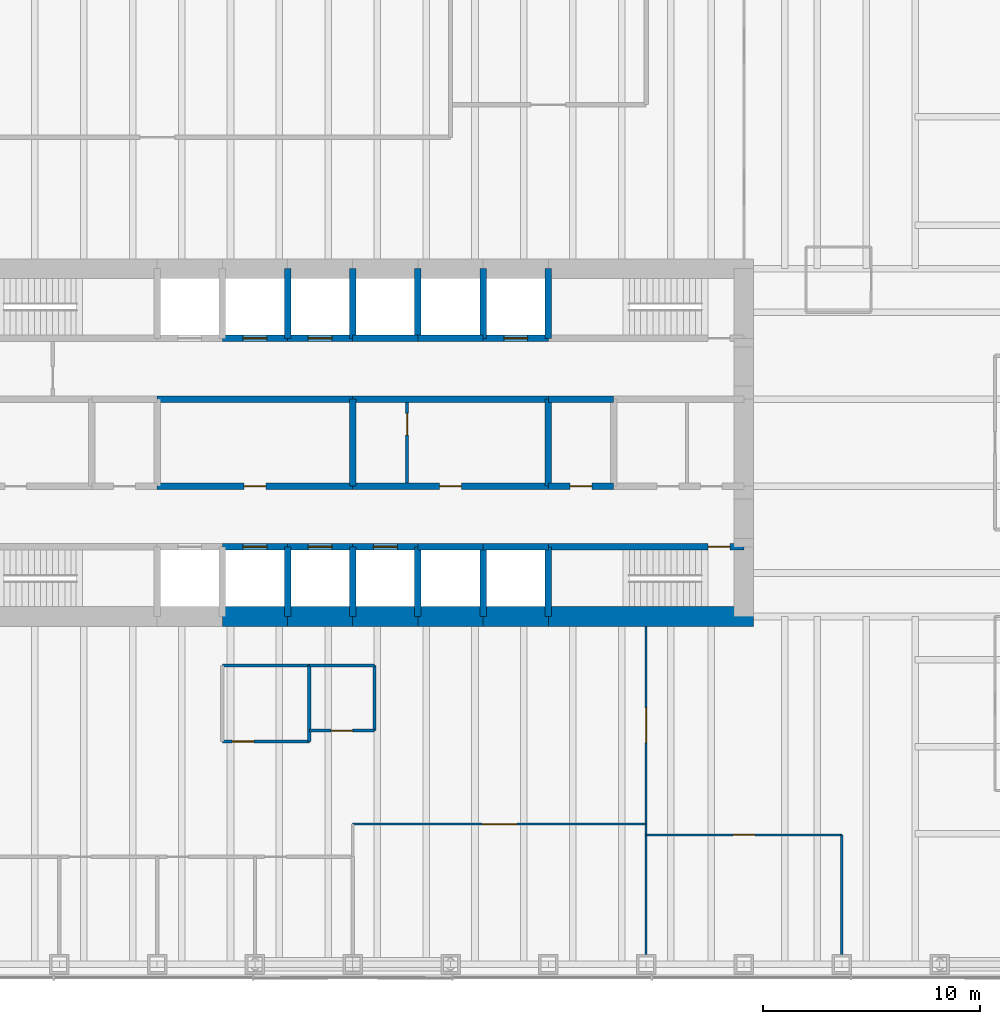
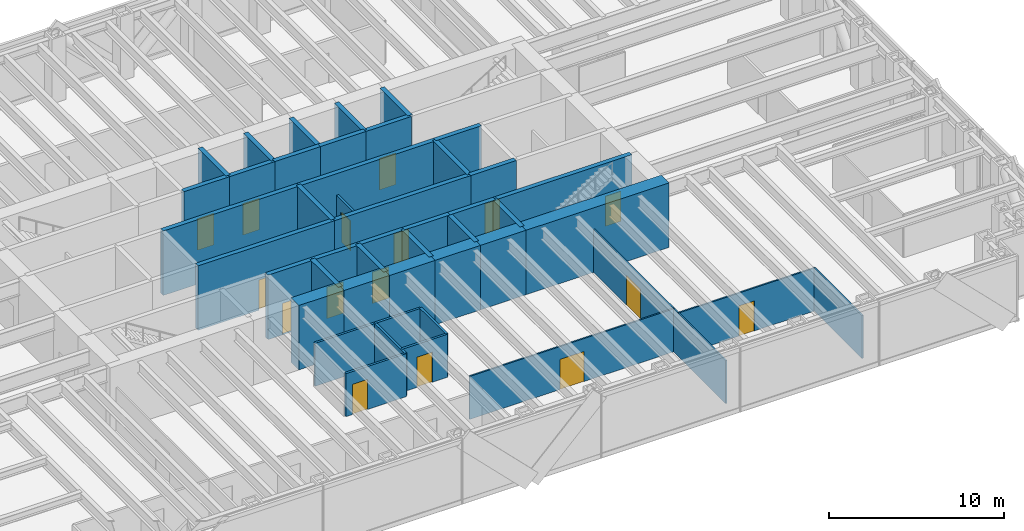
# One storey, part 10 of 13: 46 walls, 16 doors, 16 openings.
"""IFC4 building model written with IfcOpenShell, lengths in metres."""

from ifc_helpers import new_model, si_unit, direction, frame, frame_2d, origin, place, context, subcontext, project, spatial, rectangle, extrude, material, layer, layer_set, type_object, element, fill, save


model = new_model("IFC4")

# Units and contexts
model_context = context("Model", 3, precision=1e-05, world=origin(), true_north=direction((0.0, 1.0)))
body_context = subcontext(model_context, "Body", "Model", "MODEL_VIEW")
ifc_project = project(units=[si_unit("LENGTHUNIT", "METRE"), si_unit("AREAUNIT", "SQUARE_METRE"), si_unit("VOLUMEUNIT", "CUBIC_METRE"), si_unit("PLANEANGLEUNIT", "RADIAN"), si_unit("MASSUNIT", "GRAM", prefix="KILO")], contexts=[model_context])

# Site, building, storey
site_placement = place(None, origin())
site = spatial("IfcSite", under=ifc_project, at=site_placement, CompositionType="ELEMENT")
building_placement = place(site_placement, origin())
building = spatial("IfcBuilding", under=site, at=building_placement, Name="Rheinbord Bourse Tower", CompositionType="ELEMENT")
storey_placement = place(building_placement, frame((0.0, 0.0, 63.5)))
storey = spatial("IfcBuildingStorey", under=building, at=storey_placement, Name="L13", CompositionType="ELEMENT", Elevation=63.5)

# Wall, opening, door
ifc_material_1 = material(Name="Concrete C50/60", Category="concrete")
ifc_layer_1 = layer(ifc_material_1, 0.300048828125)
ifc_layer_set_1 = layer_set([ifc_layer_1], Name="CORE INNER WALL 300")
wall_type_1 = type_object("IfcWallType", Name="CORE INNER WALL 300", PredefinedType="SOLIDWALL", material=ifc_layer_set_1)
wall_1_placement = place(storey_placement, frame((30.0, 19.199951171875, 0.0), z_axis=(0.0, 0.0, 1.0), x_axis=(1.0, 0.0, 0.0)))
wall_1 = element("IfcWall", 1, at=wall_1_placement, inside=storey, type_object=wall_type_1, Name="Core wall A3 L13", PredefinedType="SOLIDWALL", context=body_context, shape_type="SweptSolid", body=[
    extrude(rectangle(XDim=3.0, YDim=0.300048828125, at=frame_2d((1.5, 0.0))), origin(), (0.0, 0.0, 1.0), 4.5),
])
opening_1_placement = place(wall_1_placement, frame((0.949951171875, 0.0, 0.0)))
opening_1 = element("IfcOpeningElement", 2, at=opening_1_placement, cuts=wall_1, Name="Opening PA1", PredefinedType="OPENING", context=body_context, shape_type="SweptSolid", body=[
    extrude(rectangle(XDim=1.10009765625, YDim=2.199951171875, at=frame_2d((0.550048828125, 1.10009765625))), frame((0.0, 0.159912109375, 0.0), z_axis=(0.0, -1.0, 0.0), x_axis=(1.0, 0.0, 0.0)), (0.0, 0.0, 1.0), 0.320068359375),
])
ifc_material_2 = material(Name="Steel landing door", Category="steel")
door_type_1 = type_object("IfcDoorType", Name="LIFT LANDING DOOR 1100", OperationType="DOUBLE_DOOR_SLIDING", PredefinedType="USERDEFINED", material=ifc_material_2)
door_1_placement = place(opening_1_placement, origin())
door_1 = element("IfcDoor", 3, at=door_1_placement, inside=storey, type_object=door_type_1, Name="Lift landing door PA1 L13", ObjectType="LIFT LANDING DOOR", OperationType="DOUBLE_DOOR_SLIDING", OverallHeight=2.199951171875, OverallWidth=1.10009765625, PredefinedType="USERDEFINED", context=body_context, shape_type="SweptSolid", body=[
    extrude(rectangle(XDim=1.10009765625, YDim=2.199951171875, at=frame_2d((0.550048828125, 1.10009765625))), frame((0.0, 0.02490234375, 0.0), z_axis=(0.0, -1.0, 0.0), x_axis=(1.0, 0.0, 0.0)), (0.0, 0.0, 1.0), 0.050048828125),
])
fill(opening_1, door_1)

wall_2_placement = place(storey_placement, frame((33.0, 19.199951171875, 0.0), z_axis=(0.0, 0.0, 1.0), x_axis=(1.0, 0.0, 0.0)))
wall_2 = element("IfcWall", 4, at=wall_2_placement, inside=storey, type_object=wall_type_1, Name="Core wall A4 L13", PredefinedType="SOLIDWALL", context=body_context, shape_type="SweptSolid", body=[
    extrude(rectangle(XDim=3.0, YDim=0.300048828125, at=frame_2d((1.5, 0.0))), origin(), (0.0, 0.0, 1.0), 4.5),
])
opening_2_placement = place(wall_2_placement, frame((0.949951171875, 0.0, 0.0)))
opening_2 = element("IfcOpeningElement", 5, at=opening_2_placement, cuts=wall_2, Name="Opening PA2", PredefinedType="OPENING", context=body_context, shape_type="SweptSolid", body=[
    extrude(rectangle(XDim=1.10009765625, YDim=2.199951171875, at=frame_2d((0.550048828125, 1.10009765625))), frame((0.0, 0.159912109375, 0.0), z_axis=(0.0, -1.0, 0.0), x_axis=(1.0, 0.0, 0.0)), (0.0, 0.0, 1.0), 0.320068359375),
])
door_2_placement = place(opening_2_placement, origin())
door_2 = element("IfcDoor", 6, at=door_2_placement, inside=storey, type_object=door_type_1, Name="Lift landing door PA2 L13", ObjectType="LIFT LANDING DOOR", OperationType="DOUBLE_DOOR_SLIDING", OverallHeight=2.199951171875, OverallWidth=1.10009765625, PredefinedType="USERDEFINED", context=body_context, shape_type="SweptSolid", body=[
    extrude(rectangle(XDim=1.10009765625, YDim=2.199951171875, at=frame_2d((0.550048828125, 1.10009765625))), frame((0.0, 0.02490234375, 0.0), z_axis=(0.0, -1.0, 0.0), x_axis=(1.0, 0.0, 0.0)), (0.0, 0.0, 1.0), 0.050048828125),
])
fill(opening_2, door_2)

wall_3_placement = place(storey_placement, frame((36.0, 19.199951171875, 0.0), z_axis=(0.0, 0.0, 1.0), x_axis=(1.0, 0.0, 0.0)))
wall_3 = element("IfcWall", 7, at=wall_3_placement, inside=storey, type_object=wall_type_1, Name="Core wall A5 L13", PredefinedType="SOLIDWALL", context=body_context, shape_type="SweptSolid", body=[
    extrude(rectangle(XDim=3.0, YDim=0.300048828125, at=frame_2d((1.5, 0.0))), origin(), (0.0, 0.0, 1.0), 4.5),
])
opening_3_placement = place(wall_3_placement, frame((0.949951171875, 0.0, 0.0)))
opening_3 = element("IfcOpeningElement", 8, at=opening_3_placement, cuts=wall_3, Name="Opening PA3", PredefinedType="OPENING", context=body_context, shape_type="SweptSolid", body=[
    extrude(rectangle(XDim=1.10009765625, YDim=2.199951171875, at=frame_2d((0.550048828125, 1.10009765625))), frame((0.0, 0.159912109375, 0.0), z_axis=(0.0, -1.0, 0.0), x_axis=(1.0, 0.0, 0.0)), (0.0, 0.0, 1.0), 0.320068359375),
])
door_3_placement = place(opening_3_placement, origin())
door_3 = element("IfcDoor", 9, at=door_3_placement, inside=storey, type_object=door_type_1, Name="Lift landing door PA3 L13", ObjectType="LIFT LANDING DOOR", OperationType="DOUBLE_DOOR_SLIDING", OverallHeight=2.199951171875, OverallWidth=1.10009765625, PredefinedType="USERDEFINED", context=body_context, shape_type="SweptSolid", body=[
    extrude(rectangle(XDim=1.10009765625, YDim=2.199951171875, at=frame_2d((0.550048828125, 1.10009765625))), frame((0.0, 0.02490234375, 0.0), z_axis=(0.0, -1.0, 0.0), x_axis=(1.0, 0.0, 0.0)), (0.0, 0.0, 1.0), 0.050048828125),
])
fill(opening_3, door_3)

# Walls
for number, where, z_axis, x_axis, name in (
    (10, (39.0, 19.199951171875, 0.0), (0.0, 0.0, 1.0), (1.0, 0.0, 0.0), "Core wall A6 L13"),
    (11, (42.0, 19.199951171875, 0.0), (0.0, 0.0, 1.0), (1.0, 0.0, 0.0), "Core wall A7 L13"),
):
    element("IfcWall", number, at=place(storey_placement, frame(where, z_axis=z_axis, x_axis=x_axis)), inside=storey, type_object=wall_type_1, Name=name, PredefinedType="SOLIDWALL", context=body_context, shape_type="SweptSolid", body=[
        extrude(rectangle(XDim=3.0, YDim=0.300048828125, at=frame_2d((1.5, 0.0))), origin(), (0.0, 0.0, 1.0), 4.5),
    ])

# Wall, opening, door
wall_4_placement = place(storey_placement, frame((45.0, 19.199951171875, 0.0), z_axis=(0.0, 0.0, 1.0), x_axis=(1.0, 0.0, 0.0)))
wall_4 = element("IfcWall", 12, at=wall_4_placement, inside=storey, type_object=wall_type_1, Name="Core wall A8 L13", PredefinedType="SOLIDWALL", context=body_context, shape_type="SweptSolid", body=[
    extrude(rectangle(XDim=9.0, YDim=0.300048828125, at=frame_2d((4.5, 0.0))), origin(), (0.0, 0.0, 1.0), 4.5),
])
opening_4_placement = place(wall_4_placement, frame((7.35009765625, 0.0, 0.0)))
opening_4 = element("IfcOpeningElement", 13, at=opening_4_placement, cuts=wall_4, Name="Opening 1330", PredefinedType="OPENING", context=body_context, shape_type="SweptSolid", body=[
    extrude(rectangle(XDim=1.0, YDim=2.10009765625, at=frame_2d((0.5, 1.050048828125))), frame((0.0, 0.159912109375, 0.0), z_axis=(0.0, -1.0, 0.0), x_axis=(1.0, 0.0, 0.0)), (0.0, 0.0, 1.0), 0.320068359375),
])
ifc_material_3 = material(Name="Steel door", Category="steel")
door_type_2 = type_object("IfcDoorType", Name="DOOR 1000 EI30", OperationType="SINGLE_SWING_LEFT", PredefinedType="DOOR", material=ifc_material_3)
door_4_placement = place(opening_4_placement, origin())
door_4 = element("IfcDoor", 14, at=door_4_placement, inside=storey, type_object=door_type_2, Name="Stair door ST3 L13", OperationType="SINGLE_SWING_RIGHT", OverallHeight=2.10009765625, OverallWidth=1.0, PredefinedType="DOOR", context=body_context, shape_type="SweptSolid", body=[
    extrude(rectangle(XDim=1.0, YDim=2.10009765625, at=frame_2d((0.5, 1.050048828125))), frame((0.0, 0.02490234375, 0.0), z_axis=(0.0, -1.0, 0.0), x_axis=(1.0, 0.0, 0.0)), (0.0, 0.0, 1.0), 0.050048828125),
])
fill(opening_4, door_4)

wall_5_placement = place(storey_placement, frame((30.0, 28.800048828125, 0.0), z_axis=(0.0, 0.0, 1.0), x_axis=(1.0, 0.0, 0.0)))
wall_5 = element("IfcWall", 15, at=wall_5_placement, inside=storey, type_object=wall_type_1, Name="Core wall B3 L13", PredefinedType="SOLIDWALL", context=body_context, shape_type="SweptSolid", body=[
    extrude(rectangle(XDim=3.0, YDim=0.300048828125, at=frame_2d((1.5, 0.0))), origin(), (0.0, 0.0, 1.0), 4.5),
])
opening_5_placement = place(wall_5_placement, frame((0.949951171875, 0.0, 0.0)))
opening_5 = element("IfcOpeningElement", 16, at=opening_5_placement, cuts=wall_5, Name="Opening PA4", PredefinedType="OPENING", context=body_context, shape_type="SweptSolid", body=[
    extrude(rectangle(XDim=1.10009765625, YDim=2.199951171875, at=frame_2d((0.550048828125, 1.10009765625))), frame((0.0, 0.159912109375, 0.0), z_axis=(0.0, -1.0, 0.0), x_axis=(1.0, 0.0, 0.0)), (0.0, 0.0, 1.0), 0.320068359375),
])
door_5_placement = place(opening_5_placement, origin())
door_5 = element("IfcDoor", 17, at=door_5_placement, inside=storey, type_object=door_type_1, Name="Lift landing door PA4 L13", ObjectType="LIFT LANDING DOOR", OperationType="DOUBLE_DOOR_SLIDING", OverallHeight=2.199951171875, OverallWidth=1.10009765625, PredefinedType="USERDEFINED", context=body_context, shape_type="SweptSolid", body=[
    extrude(rectangle(XDim=1.10009765625, YDim=2.199951171875, at=frame_2d((0.550048828125, 1.10009765625))), frame((0.0, 0.02490234375, 0.0), z_axis=(0.0, -1.0, 0.0), x_axis=(1.0, 0.0, 0.0)), (0.0, 0.0, 1.0), 0.050048828125),
])
fill(opening_5, door_5)

wall_6_placement = place(storey_placement, frame((33.0, 28.800048828125, 0.0), z_axis=(0.0, 0.0, 1.0), x_axis=(1.0, 0.0, 0.0)))
wall_6 = element("IfcWall", 18, at=wall_6_placement, inside=storey, type_object=wall_type_1, Name="Core wall B4 L13", PredefinedType="SOLIDWALL", context=body_context, shape_type="SweptSolid", body=[
    extrude(rectangle(XDim=3.0, YDim=0.300048828125, at=frame_2d((1.5, 0.0))), origin(), (0.0, 0.0, 1.0), 4.5),
])
opening_6_placement = place(wall_6_placement, frame((0.949951171875, 0.0, 0.0)))
opening_6 = element("IfcOpeningElement", 19, at=opening_6_placement, cuts=wall_6, Name="Opening PA5", PredefinedType="OPENING", context=body_context, shape_type="SweptSolid", body=[
    extrude(rectangle(XDim=1.10009765625, YDim=2.199951171875, at=frame_2d((0.550048828125, 1.10009765625))), frame((0.0, 0.159912109375, 0.0), z_axis=(0.0, -1.0, 0.0), x_axis=(1.0, 0.0, 0.0)), (0.0, 0.0, 1.0), 0.320068359375),
])
door_6_placement = place(opening_6_placement, origin())
door_6 = element("IfcDoor", 20, at=door_6_placement, inside=storey, type_object=door_type_1, Name="Lift landing door PA5 L13", ObjectType="LIFT LANDING DOOR", OperationType="DOUBLE_DOOR_SLIDING", OverallHeight=2.199951171875, OverallWidth=1.10009765625, PredefinedType="USERDEFINED", context=body_context, shape_type="SweptSolid", body=[
    extrude(rectangle(XDim=1.10009765625, YDim=2.199951171875, at=frame_2d((0.550048828125, 1.10009765625))), frame((0.0, 0.02490234375, 0.0), z_axis=(0.0, -1.0, 0.0), x_axis=(1.0, 0.0, 0.0)), (0.0, 0.0, 1.0), 0.050048828125),
])
fill(opening_6, door_6)

# Walls
for number, where, z_axis, x_axis, name in (
    (21, (36.0, 28.800048828125, 0.0), (0.0, 0.0, 1.0), (1.0, 0.0, 0.0), "Core wall B5 L13"),
    (22, (39.0, 28.800048828125, 0.0), (0.0, 0.0, 1.0), (1.0, 0.0, 0.0), "Core wall B6 L13"),
):
    element("IfcWall", number, at=place(storey_placement, frame(where, z_axis=z_axis, x_axis=x_axis)), inside=storey, type_object=wall_type_1, Name=name, PredefinedType="SOLIDWALL", context=body_context, shape_type="SweptSolid", body=[
        extrude(rectangle(XDim=3.0, YDim=0.300048828125, at=frame_2d((1.5, 0.0))), origin(), (0.0, 0.0, 1.0), 4.5),
    ])

# Wall, opening, door
wall_7_placement = place(storey_placement, frame((42.0, 28.800048828125, 0.0), z_axis=(0.0, 0.0, 1.0), x_axis=(1.0, 0.0, 0.0)))
wall_7 = element("IfcWall", 23, at=wall_7_placement, inside=storey, type_object=wall_type_1, Name="Core wall B7 L13", PredefinedType="SOLIDWALL", context=body_context, shape_type="SweptSolid", body=[
    extrude(rectangle(XDim=3.0, YDim=0.300048828125, at=frame_2d((1.5, 0.0))), origin(), (0.0, 0.0, 1.0), 4.5),
])
opening_7_placement = place(wall_7_placement, frame((0.949951171875, 0.0, 0.0)))
opening_7 = element("IfcOpeningElement", 24, at=opening_7_placement, cuts=wall_7, Name="Opening FL2", PredefinedType="OPENING", context=body_context, shape_type="SweptSolid", body=[
    extrude(rectangle(XDim=1.10009765625, YDim=2.199951171875, at=frame_2d((0.550048828125, 1.10009765625))), frame((0.0, 0.159912109375, 0.0), z_axis=(0.0, -1.0, 0.0), x_axis=(1.0, 0.0, 0.0)), (0.0, 0.0, 1.0), 0.320068359375),
])
door_7_placement = place(opening_7_placement, origin())
door_7 = element("IfcDoor", 25, at=door_7_placement, inside=storey, type_object=door_type_1, Name="Lift landing door FL2 L13", ObjectType="LIFT LANDING DOOR", OperationType="DOUBLE_DOOR_SLIDING", OverallHeight=2.199951171875, OverallWidth=1.10009765625, PredefinedType="USERDEFINED", context=body_context, shape_type="SweptSolid", body=[
    extrude(rectangle(XDim=1.10009765625, YDim=2.199951171875, at=frame_2d((0.550048828125, 1.10009765625))), frame((0.0, 0.02490234375, 0.0), z_axis=(0.0, -1.0, 0.0), x_axis=(1.0, 0.0, 0.0)), (0.0, 0.0, 1.0), 0.050048828125),
])
fill(opening_7, door_7)

wall_8_placement = place(storey_placement, frame((27.0, 22.0, 0.0), z_axis=(0.0, 0.0, 1.0), x_axis=(1.0, 0.0, 0.0)))
wall_8 = element("IfcWall", 26, at=wall_8_placement, inside=storey, type_object=wall_type_1, Name="Core wall C3 L13", PredefinedType="SOLIDWALL", context=body_context, shape_type="SweptSolid", body=[
    extrude(rectangle(XDim=9.0, YDim=0.300048828125, at=frame_2d((4.5, 0.0))), origin(), (0.0, 0.0, 1.0), 4.5),
])
opening_8_placement = place(wall_8_placement, frame((4.0, 0.0, 0.0)))
opening_8 = element("IfcOpeningElement", 27, at=opening_8_placement, cuts=wall_8, Name="Opening 13R3", PredefinedType="OPENING", context=body_context, shape_type="SweptSolid", body=[
    extrude(rectangle(XDim=1.0, YDim=2.10009765625, at=frame_2d((0.5, 1.050048828125))), frame((0.0, 0.159912109375, 0.0), z_axis=(0.0, -1.0, 0.0), x_axis=(1.0, 0.0, 0.0)), (0.0, 0.0, 1.0), 0.320068359375),
])
door_8_placement = place(opening_8_placement, origin())
door_8 = element("IfcDoor", 28, at=door_8_placement, inside=storey, type_object=door_type_2, Name="Riser door L13", OperationType="SINGLE_SWING_LEFT", OverallHeight=2.10009765625, OverallWidth=1.0, PredefinedType="DOOR", context=body_context, shape_type="SweptSolid", body=[
    extrude(rectangle(XDim=1.0, YDim=2.10009765625, at=frame_2d((0.5, 1.050048828125))), frame((0.0, 0.02490234375, 0.0), z_axis=(0.0, -1.0, 0.0), x_axis=(1.0, 0.0, 0.0)), (0.0, 0.0, 1.0), 0.050048828125),
])
fill(opening_8, door_8)

wall_9_placement = place(storey_placement, frame((36.0, 22.0, 0.0), z_axis=(0.0, 0.0, 1.0), x_axis=(1.0, 0.0, 0.0)))
wall_9 = element("IfcWall", 29, at=wall_9_placement, inside=storey, type_object=wall_type_1, Name="Core wall C4 L13", PredefinedType="SOLIDWALL", context=body_context, shape_type="SweptSolid", body=[
    extrude(rectangle(XDim=9.0, YDim=0.300048828125, at=frame_2d((4.5, 0.0))), origin(), (0.0, 0.0, 1.0), 4.5),
])
opening_9_placement = place(wall_9_placement, frame((4.0, 0.0, 0.0)))
opening_9 = element("IfcOpeningElement", 30, at=opening_9_placement, cuts=wall_9, Name="Opening 13R4", PredefinedType="OPENING", context=body_context, shape_type="SweptSolid", body=[
    extrude(rectangle(XDim=1.0, YDim=2.10009765625, at=frame_2d((0.5, 1.050048828125))), frame((0.0, 0.159912109375, 0.0), z_axis=(0.0, -1.0, 0.0), x_axis=(1.0, 0.0, 0.0)), (0.0, 0.0, 1.0), 0.320068359375),
])
door_9_placement = place(opening_9_placement, origin())
door_9 = element("IfcDoor", 31, at=door_9_placement, inside=storey, type_object=door_type_2, Name="Store door L13", OperationType="SINGLE_SWING_LEFT", OverallHeight=2.10009765625, OverallWidth=1.0, PredefinedType="DOOR", context=body_context, shape_type="SweptSolid", body=[
    extrude(rectangle(XDim=1.0, YDim=2.10009765625, at=frame_2d((0.5, 1.050048828125))), frame((0.0, 0.02490234375, 0.0), z_axis=(0.0, -1.0, 0.0), x_axis=(1.0, 0.0, 0.0)), (0.0, 0.0, 1.0), 0.050048828125),
])
fill(opening_9, door_9)

wall_10_placement = place(storey_placement, frame((45.0, 22.0, 0.0), z_axis=(0.0, 0.0, 1.0), x_axis=(1.0, 0.0, 0.0)))
wall_10 = element("IfcWall", 32, at=wall_10_placement, inside=storey, type_object=wall_type_1, Name="Core wall C5 L13", PredefinedType="SOLIDWALL", context=body_context, shape_type="SweptSolid", body=[
    extrude(rectangle(XDim=3.0, YDim=0.300048828125, at=frame_2d((1.5, 0.0))), origin(), (0.0, 0.0, 1.0), 4.5),
])
opening_10_placement = place(wall_10_placement, frame((1.0, 0.0, 0.0)))
opening_10 = element("IfcOpeningElement", 33, at=opening_10_placement, cuts=wall_10, Name="Opening 13R5", PredefinedType="OPENING", context=body_context, shape_type="SweptSolid", body=[
    extrude(rectangle(XDim=1.0, YDim=2.10009765625, at=frame_2d((0.5, 1.050048828125))), frame((0.0, 0.159912109375, 0.0), z_axis=(0.0, -1.0, 0.0), x_axis=(1.0, 0.0, 0.0)), (0.0, 0.0, 1.0), 0.320068359375),
])
ifc_material_4 = material(Name="Timber door", Category="wood")
door_type_3 = type_object("IfcDoorType", Name="DOOR 1000 WC", OperationType="SINGLE_SWING_LEFT", PredefinedType="DOOR", material=ifc_material_4)
door_10_placement = place(opening_10_placement, origin())
door_10 = element("IfcDoor", 34, at=door_10_placement, inside=storey, type_object=door_type_3, Name="Accessible WC door L13", OperationType="SINGLE_SWING_LEFT", OverallHeight=2.10009765625, OverallWidth=1.0, PredefinedType="DOOR", context=body_context, shape_type="SweptSolid", body=[
    extrude(rectangle(XDim=1.0, YDim=2.10009765625, at=frame_2d((0.5, 1.050048828125))), frame((0.0, 0.02490234375, 0.0), z_axis=(0.0, -1.0, 0.0), x_axis=(1.0, 0.0, 0.0)), (0.0, 0.0, 1.0), 0.050048828125),
])
fill(opening_10, door_10)

# Walls
for number, where, z_axis, x_axis, name in (
    (35, (27.0, 26.0, 0.0), (0.0, 0.0, 1.0), (1.0, 0.0, 0.0), "Core wall D3 L13"),
    (36, (36.0, 26.0, 0.0), (0.0, 0.0, 1.0), (1.0, 0.0, 0.0), "Core wall D4 L13"),
):
    element("IfcWall", number, at=place(storey_placement, frame(where, z_axis=z_axis, x_axis=x_axis)), inside=storey, type_object=wall_type_1, Name=name, PredefinedType="SOLIDWALL", context=body_context, shape_type="SweptSolid", body=[
        extrude(rectangle(XDim=9.0, YDim=0.300048828125, at=frame_2d((4.5, 0.0))), origin(), (0.0, 0.0, 1.0), 4.5),
    ])
wall_11_placement = place(storey_placement, frame((45.0, 26.0, 0.0), z_axis=(0.0, 0.0, 1.0), x_axis=(1.0, 0.0, 0.0)))
element("IfcWall", 37, at=wall_11_placement, inside=storey, type_object=wall_type_1, Name="Core wall D5 L13", PredefinedType="SOLIDWALL", context=body_context, shape_type="SweptSolid", body=[
    extrude(rectangle(XDim=3.0, YDim=0.300048828125, at=frame_2d((1.5, 0.0))), origin(), (0.0, 0.0, 1.0), 4.5),
])
for number, where, z_axis, x_axis, name in (
    (38, (33.0, 16.0, 0.0), (0.0, 0.0, 1.0), (0.0, 1.0, 0.0), "Core wall SX33 L13"),
    (39, (33.0, 28.800048828125, 0.0), (0.0, 0.0, 1.0), (0.0, 1.0, 0.0), "Core wall NX33 L13"),
    (40, (36.0, 16.0, 0.0), (0.0, 0.0, 1.0), (0.0, 1.0, 0.0), "Core wall SX36 L13"),
    (41, (36.0, 28.800048828125, 0.0), (0.0, 0.0, 1.0), (0.0, 1.0, 0.0), "Core wall NX36 L13"),
    (42, (39.0, 16.0, 0.0), (0.0, 0.0, 1.0), (0.0, 1.0, 0.0), "Core wall SX39 L13"),
    (43, (39.0, 28.800048828125, 0.0), (0.0, 0.0, 1.0), (0.0, 1.0, 0.0), "Core wall NX39 L13"),
    (44, (42.0, 16.0, 0.0), (0.0, 0.0, 1.0), (0.0, 1.0, 0.0), "Core wall SX42 L13"),
    (45, (42.0, 28.800048828125, 0.0), (0.0, 0.0, 1.0), (0.0, 1.0, 0.0), "Core wall NX42 L13"),
    (46, (45.0, 16.0, 0.0), (0.0, 0.0, 1.0), (0.0, 1.0, 0.0), "Core wall SX45 L13"),
    (47, (45.0, 28.800048828125, 0.0), (0.0, 0.0, 1.0), (0.0, 1.0, 0.0), "Core wall NX45 L13"),
):
    element("IfcWall", number, at=place(storey_placement, frame(where, z_axis=z_axis, x_axis=x_axis)), inside=storey, type_object=wall_type_1, Name=name, PredefinedType="SOLIDWALL", context=body_context, shape_type="SweptSolid", body=[
        extrude(rectangle(XDim=3.199951171875, YDim=0.300048828125, at=frame_2d((1.60009765625, 0.0))), origin(), (0.0, 0.0, 1.0), 4.5),
    ])
for number, where, z_axis, x_axis, name in (
    (48, (36.0, 22.0, 0.0), (0.0, 0.0, 1.0), (0.0, 1.0, 0.0), "Core wall MX36 L13"),
    (49, (45.0, 22.0, 0.0), (0.0, 0.0, 1.0), (0.0, 1.0, 0.0), "Core wall MX45 L13"),
):
    element("IfcWall", number, at=place(storey_placement, frame(where, z_axis=z_axis, x_axis=x_axis)), inside=storey, type_object=wall_type_1, Name=name, PredefinedType="SOLIDWALL", context=body_context, shape_type="SweptSolid", body=[
        extrude(rectangle(XDim=4.0, YDim=0.300048828125, at=frame_2d((2.0, 0.0))), origin(), (0.0, 0.0, 1.0), 4.5),
    ])

# Wall, opening, door
ifc_material_5 = material(Name="Gypsum board fire partition", Category="gypsum board")
ifc_layer_2 = layer(ifc_material_5, 0.14990234375)
ifc_layer_set_2 = layer_set([ifc_layer_2], Name="CORE PARTITION 150 EI30")
wall_type_2 = type_object("IfcWallType", Name="CORE PARTITION 150 EI30", PredefinedType="PARTITIONING", material=ifc_layer_set_2)
wall_12_placement = place(storey_placement, frame((38.5, 22.14990234375, 0.0), z_axis=(0.0, 0.0, 1.0), x_axis=(0.0, 1.0, 0.0)))
wall_12 = element("IfcWall", 50, at=wall_12_placement, inside=storey, type_object=wall_type_2, Name="Core partition L13-1", PredefinedType="PARTITIONING", context=body_context, shape_type="SweptSolid", body=[
    extrude(rectangle(XDim=3.7001953125, YDim=0.14990234375, at=frame_2d((1.85009765625, 0.0))), origin(), (0.0, 0.0, 1.0), 3.0),
])
opening_11_placement = place(wall_12_placement, frame((2.199951171875, 0.0, 0.0)))
opening_11 = element("IfcOpeningElement", 51, at=opening_11_placement, cuts=wall_12, Name="Opening 13R7", PredefinedType="OPENING", context=body_context, shape_type="SweptSolid", body=[
    extrude(rectangle(XDim=1.0, YDim=2.10009765625, at=frame_2d((0.5, 1.050048828125))), frame((0.0, 0.0849609375, 0.0), z_axis=(0.0, -1.0, 0.0), x_axis=(1.0, 0.0, 0.0)), (0.0, 0.0, 1.0), 0.169921875),
])
door_11_placement = place(opening_11_placement, origin())
door_11 = element("IfcDoor", 52, at=door_11_placement, inside=storey, type_object=door_type_2, Name="Furniture store door L13", OperationType="SINGLE_SWING_RIGHT", OverallHeight=2.10009765625, OverallWidth=1.0, PredefinedType="DOOR", context=body_context, shape_type="SweptSolid", body=[
    extrude(rectangle(XDim=1.0, YDim=2.10009765625, at=frame_2d((0.5, 1.050048828125))), frame((0.0, 0.02490234375, 0.0), z_axis=(0.0, -1.0, 0.0), x_axis=(1.0, 0.0, 0.0)), (0.0, 0.0, 1.0), 0.050048828125),
])
fill(opening_11, door_11)

# Walls
ifc_material_6 = material(Name="Concrete C50/60", Category="concrete")
ifc_layer_3 = layer(ifc_material_6, 0.89990234375)
ifc_layer_set_3 = layer_set([ifc_layer_3], Name="CORE WALL 900")
wall_type_3 = type_object("IfcWallType", Name="CORE WALL 900", PredefinedType="SHEAR", material=ifc_layer_set_3)
for number, where, z_axis, x_axis, name in (
    (53, (30.0, 16.0, 0.0), (0.0, 0.0, 1.0), (1.0, 0.0, 0.0), "Core wall S3 L13"),
    (54, (33.0, 16.0, 0.0), (0.0, 0.0, 1.0), (1.0, 0.0, 0.0), "Core wall S4 L13"),
    (55, (36.0, 16.0, 0.0), (0.0, 0.0, 1.0), (1.0, 0.0, 0.0), "Core wall S5 L13"),
    (56, (39.0, 16.0, 0.0), (0.0, 0.0, 1.0), (1.0, 0.0, 0.0), "Core wall S6 L13"),
    (57, (42.0, 16.0, 0.0), (0.0, 0.0, 1.0), (1.0, 0.0, 0.0), "Core wall S7 L13"),
):
    element("IfcWall", number, at=place(storey_placement, frame(where, z_axis=z_axis, x_axis=x_axis)), inside=storey, type_object=wall_type_3, Name=name, PredefinedType="SHEAR", context=body_context, shape_type="SweptSolid", body=[
        extrude(rectangle(XDim=3.0, YDim=0.89990234375, at=frame_2d((1.5, 0.0))), origin(), (0.0, 0.0, 1.0), 4.5),
    ])
wall_13_placement = place(storey_placement, frame((45.0, 16.0, 0.0), z_axis=(0.0, 0.0, 1.0), x_axis=(1.0, 0.0, 0.0)))
element("IfcWall", 58, at=wall_13_placement, inside=storey, type_object=wall_type_3, Name="Core wall S8 L13", PredefinedType="SHEAR", context=body_context, shape_type="SweptSolid", body=[
    extrude(rectangle(XDim=9.449951171875, YDim=0.89990234375, at=frame_2d((4.72509765625, 0.0))), origin(), (0.0, 0.0, 1.0), 4.5),
])

# Wall, opening, door
ifc_material_7 = material(Name="Gypsum board fire partition", Category="gypsum board")
ifc_layer_4 = layer(ifc_material_7, 0.14990234375)
ifc_layer_set_4 = layer_set([ifc_layer_4], Name="FIRE PARTITION 150 EI60")
wall_type_4 = type_object("IfcWallType", Name="FIRE PARTITION 150 EI60", PredefinedType="PARTITIONING", material=ifc_layer_set_4)
wall_14_placement = place(storey_placement, frame((30.0, 10.25, 0.0), z_axis=(0.0, 0.0, 1.0), x_axis=(1.0, 0.0, 0.0)))
wall_14 = element("IfcWall", 59, at=wall_14_placement, inside=storey, type_object=wall_type_4, Name="Partition L13-05", PredefinedType="PARTITIONING", context=body_context, shape_type="SweptSolid", body=[
    extrude(rectangle(XDim=4.0, YDim=0.14990234375, at=frame_2d((2.0, 0.0))), origin(), (0.0, 0.0, 1.0), 3.0),
])
opening_12_placement = place(wall_14_placement, frame((0.449951171875, 0.0, 0.0)))
opening_12 = element("IfcOpeningElement", 60, at=opening_12_placement, cuts=wall_14, Name="Opening 13D09", PredefinedType="OPENING", context=body_context, shape_type="SweptSolid", body=[
    extrude(rectangle(XDim=1.0, YDim=2.10009765625, at=frame_2d((0.5, 1.050048828125))), frame((0.0, 0.0849609375, 0.0), z_axis=(0.0, -1.0, 0.0), x_axis=(1.0, 0.0, 0.0)), (0.0, 0.0, 1.0), 0.169921875),
])
ifc_material_8 = material(Name="Timber fire door", Category="wood")
door_type_4 = type_object("IfcDoorType", Name="FIRE DOOR 1000 EI60", OperationType="SINGLE_SWING_LEFT", PredefinedType="DOOR", material=ifc_material_8)
door_12_placement = place(opening_12_placement, origin())
door_12 = element("IfcDoor", 61, at=door_12_placement, inside=storey, type_object=door_type_4, Name="Document store door L13", OperationType="SINGLE_SWING_LEFT", OverallHeight=2.10009765625, OverallWidth=1.0, PredefinedType="DOOR", context=body_context, shape_type="SweptSolid", body=[
    extrude(rectangle(XDim=1.0, YDim=2.10009765625, at=frame_2d((0.5, 1.050048828125))), frame((0.0, 0.02490234375, 0.0), z_axis=(0.0, -1.0, 0.0), x_axis=(1.0, 0.0, 0.0)), (0.0, 0.0, 1.0), 0.050048828125),
])
fill(opening_12, door_12)

# Walls
wall_15_placement = place(storey_placement, frame((30.0, 13.75, 0.0), z_axis=(0.0, 0.0, 1.0), x_axis=(1.0, 0.0, 0.0)))
element("IfcWall", 62, at=wall_15_placement, inside=storey, type_object=wall_type_4, Name="Partition L13-08", PredefinedType="PARTITIONING", context=body_context, shape_type="SweptSolid", body=[
    extrude(rectangle(XDim=4.0, YDim=0.14990234375, at=frame_2d((2.0, 0.0))), origin(), (0.0, 0.0, 1.0), 3.0),
])
wall_16_placement = place(storey_placement, frame((34.0, 10.25, 0.0), z_axis=(0.0, 0.0, 1.0), x_axis=(0.0, 1.0, 0.0)))
element("IfcWall", 63, at=wall_16_placement, inside=storey, type_object=wall_type_4, Name="Partition L13-32", PredefinedType="PARTITIONING", context=body_context, shape_type="SweptSolid", body=[
    extrude(rectangle(XDim=3.5, YDim=0.14990234375, at=frame_2d((1.75, 0.0))), origin(), (0.0, 0.0, 1.0), 3.0),
])

# Wall, opening, door
ifc_material_9 = material(Name="Toughened laminated glass partition", Category="glass")
ifc_layer_5 = layer(ifc_material_9, 0.10009765625)
ifc_layer_set_5 = layer_set([ifc_layer_5], Name="GLAZED PARTITION 100")
wall_type_5 = type_object("IfcWallType", Name="GLAZED PARTITION 100", PredefinedType="PARTITIONING", material=ifc_layer_set_5)
wall_17_placement = place(storey_placement, frame((49.5, 5.949951171875, 0.0), z_axis=(0.0, 0.0, 1.0), x_axis=(1.0, 0.0, 0.0)))
wall_17 = element("IfcWall", 64, at=wall_17_placement, inside=storey, type_object=wall_type_5, Name="Partition L13-02", PredefinedType="PARTITIONING", context=body_context, shape_type="SweptSolid", body=[
    extrude(rectangle(XDim=9.0, YDim=0.10009765625, at=frame_2d((4.5, 0.0))), origin(), (0.0, 0.0, 1.0), 3.0),
])
opening_13_placement = place(wall_17_placement, frame((4.0, 0.0, 0.0)))
opening_13 = element("IfcOpeningElement", 65, at=opening_13_placement, cuts=wall_17, Name="Opening 13D07", PredefinedType="OPENING", context=body_context, shape_type="SweptSolid", body=[
    extrude(rectangle(XDim=1.0, YDim=2.10009765625, at=frame_2d((0.5, 1.050048828125))), frame((0.0, 0.06005859375, 0.0), z_axis=(0.0, -1.0, 0.0), x_axis=(1.0, 0.0, 0.0)), (0.0, 0.0, 1.0), 0.1201171875),
])
ifc_material_10 = material(Name="Timber door", Category="wood")
door_type_5 = type_object("IfcDoorType", Name="ROOM DOOR 1000", OperationType="SINGLE_SWING_LEFT", PredefinedType="DOOR", material=ifc_material_10)
door_13_placement = place(opening_13_placement, origin())
door_13 = element("IfcDoor", 66, at=door_13_placement, inside=storey, type_object=door_type_5, Name="Meeting room door L13", OperationType="SINGLE_SWING_LEFT", OverallHeight=2.10009765625, OverallWidth=1.0, PredefinedType="DOOR", context=body_context, shape_type="SweptSolid", body=[
    extrude(rectangle(XDim=1.0, YDim=2.10009765625, at=frame_2d((0.5, 1.050048828125))), frame((0.0, 0.02490234375, 0.0), z_axis=(0.0, -1.0, 0.0), x_axis=(1.0, 0.0, 0.0)), (0.0, 0.0, 1.0), 0.050048828125),
])
fill(opening_13, door_13)

wall_18_placement = place(storey_placement, frame((36.0, 6.449951171875, 0.0), z_axis=(0.0, 0.0, 1.0), x_axis=(1.0, 0.0, 0.0)))
wall_18 = element("IfcWall", 67, at=wall_18_placement, inside=storey, type_object=wall_type_5, Name="Partition L13-03", PredefinedType="PARTITIONING", context=body_context, shape_type="SweptSolid", body=[
    extrude(rectangle(XDim=13.5, YDim=0.10009765625, at=frame_2d((6.75, 0.0))), origin(), (0.0, 0.0, 1.0), 3.0),
])
opening_14_placement = place(wall_18_placement, frame((5.949951171875, 0.0, 0.0)))
opening_14 = element("IfcOpeningElement", 68, at=opening_14_placement, cuts=wall_18, Name="Opening 13D08", PredefinedType="OPENING", context=body_context, shape_type="SweptSolid", body=[
    extrude(rectangle(XDim=1.60009765625, YDim=2.10009765625, at=frame_2d((0.800048828125, 1.050048828125))), frame((0.0, 0.06005859375, 0.0), z_axis=(0.0, -1.0, 0.0), x_axis=(1.0, 0.0, 0.0)), (0.0, 0.0, 1.0), 0.1201171875),
])
ifc_material_11 = material(Name="Timber door", Category="wood")
door_type_6 = type_object("IfcDoorType", Name="DOUBLE ROOM DOOR 1600", OperationType="DOUBLE_DOOR_DOUBLE_SWING", PredefinedType="DOOR", material=ifc_material_11)
door_14_placement = place(opening_14_placement, origin())
door_14 = element("IfcDoor", 69, at=door_14_placement, inside=storey, type_object=door_type_6, Name="Collateral desk room door L13", OperationType="SINGLE_SWING_LEFT", OverallHeight=2.10009765625, OverallWidth=1.60009765625, PredefinedType="DOOR", context=body_context, shape_type="SweptSolid", body=[
    extrude(rectangle(XDim=1.60009765625, YDim=2.10009765625, at=frame_2d((0.800048828125, 1.050048828125))), frame((0.0, 0.02490234375, 0.0), z_axis=(0.0, -1.0, 0.0), x_axis=(1.0, 0.0, 0.0)), (0.0, 0.0, 1.0), 0.050048828125),
])
fill(opening_14, door_14)

wall_19_placement = place(storey_placement, frame((49.5, 0.449951171875, 0.0), z_axis=(0.0, 0.0, 1.0), x_axis=(0.0, 1.0, 0.0)))
wall_19 = element("IfcWall", 70, at=wall_19_placement, inside=storey, type_object=wall_type_5, Name="Partition L13-37", PredefinedType="PARTITIONING", context=body_context, shape_type="SweptSolid", body=[
    extrude(rectangle(XDim=15.10009765625, YDim=0.10009765625, at=frame_2d((7.550048828125, 0.0))), origin(), (0.0, 0.0, 1.0), 3.0),
])
opening_15_placement = place(wall_19_placement, frame((9.75, 0.0, 0.0)))
opening_15 = element("IfcOpeningElement", 71, at=opening_15_placement, cuts=wall_19, Name="Opening 13D20", PredefinedType="OPENING", context=body_context, shape_type="SweptSolid", body=[
    extrude(rectangle(XDim=1.60009765625, YDim=2.10009765625, at=frame_2d((0.800048828125, 1.050048828125))), frame((0.0, 0.06005859375, 0.0), z_axis=(0.0, -1.0, 0.0), x_axis=(1.0, 0.0, 0.0)), (0.0, 0.0, 1.0), 0.1201171875),
])
door_15_placement = place(opening_15_placement, origin())
door_15 = element("IfcDoor", 72, at=door_15_placement, inside=storey, type_object=door_type_6, Name="Open area door L13", OperationType="SINGLE_SWING_LEFT", OverallHeight=2.10009765625, OverallWidth=1.60009765625, PredefinedType="DOOR", context=body_context, shape_type="SweptSolid", body=[
    extrude(rectangle(XDim=1.60009765625, YDim=2.10009765625, at=frame_2d((0.800048828125, 1.050048828125))), frame((0.0, 0.02490234375, 0.0), z_axis=(0.0, -1.0, 0.0), x_axis=(1.0, 0.0, 0.0)), (0.0, 0.0, 1.0), 0.050048828125),
])
fill(opening_15, door_15)

# Wall
wall_20_placement = place(storey_placement, frame((58.5, 0.449951171875, 0.0), z_axis=(0.0, 0.0, 1.0), x_axis=(0.0, 1.0, 0.0)))
element("IfcWall", 73, at=wall_20_placement, inside=storey, type_object=wall_type_5, Name="Partition L13-41", PredefinedType="PARTITIONING", context=body_context, shape_type="SweptSolid", body=[
    extrude(rectangle(XDim=5.5, YDim=0.10009765625, at=frame_2d((2.75, 0.0))), origin(), (0.0, 0.0, 1.0), 3.0),
])

# Wall, opening, door
ifc_material_12 = material(Name="Gypsum board partition", Category="gypsum board")
ifc_layer_6 = layer(ifc_material_12, 0.14990234375)
ifc_layer_set_6 = layer_set([ifc_layer_6], Name="PARTITION 150")
wall_type_6 = type_object("IfcWallType", Name="PARTITION 150", PredefinedType="PARTITIONING", material=ifc_layer_set_6)
wall_21_placement = place(storey_placement, frame((34.0, 10.75, 0.0), z_axis=(0.0, 0.0, 1.0), x_axis=(1.0, 0.0, 0.0)))
wall_21 = element("IfcWall", 74, at=wall_21_placement, inside=storey, type_object=wall_type_6, Name="Partition L13-06", PredefinedType="PARTITIONING", context=body_context, shape_type="SweptSolid", body=[
    extrude(rectangle(XDim=3.0, YDim=0.14990234375, at=frame_2d((1.5, 0.0))), origin(), (0.0, 0.0, 1.0), 3.0),
])
opening_16_placement = place(wall_21_placement, frame((1.0, 0.0, 0.0)))
opening_16 = element("IfcOpeningElement", 75, at=opening_16_placement, cuts=wall_21, Name="Opening 13D11", PredefinedType="OPENING", context=body_context, shape_type="SweptSolid", body=[
    extrude(rectangle(XDim=1.0, YDim=2.10009765625, at=frame_2d((0.5, 1.050048828125))), frame((0.0, 0.0849609375, 0.0), z_axis=(0.0, -1.0, 0.0), x_axis=(1.0, 0.0, 0.0)), (0.0, 0.0, 1.0), 0.169921875),
])
door_16_placement = place(opening_16_placement, origin())
door_16 = element("IfcDoor", 76, at=door_16_placement, inside=storey, type_object=door_type_5, Name="Print room door L13", OperationType="SINGLE_SWING_LEFT", OverallHeight=2.10009765625, OverallWidth=1.0, PredefinedType="DOOR", context=body_context, shape_type="SweptSolid", body=[
    extrude(rectangle(XDim=1.0, YDim=2.10009765625, at=frame_2d((0.5, 1.050048828125))), frame((0.0, 0.02490234375, 0.0), z_axis=(0.0, -1.0, 0.0), x_axis=(1.0, 0.0, 0.0)), (0.0, 0.0, 1.0), 0.050048828125),
])
fill(opening_16, door_16)

# Walls
for number, where, z_axis, x_axis, name in (
    (77, (34.0, 13.75, 0.0), (0.0, 0.0, 1.0), (1.0, 0.0, 0.0), "Partition L13-09"),
    (78, (37.0, 10.75, 0.0), (0.0, 0.0, 1.0), (0.0, 1.0, 0.0), "Partition L13-35"),
):
    element("IfcWall", number, at=place(storey_placement, frame(where, z_axis=z_axis, x_axis=x_axis)), inside=storey, type_object=wall_type_6, Name=name, PredefinedType="PARTITIONING", context=body_context, shape_type="SweptSolid", body=[
        extrude(rectangle(XDim=3.0, YDim=0.14990234375, at=frame_2d((1.5, 0.0))), origin(), (0.0, 0.0, 1.0), 3.0),
    ])

save(model, "model.ifc")
